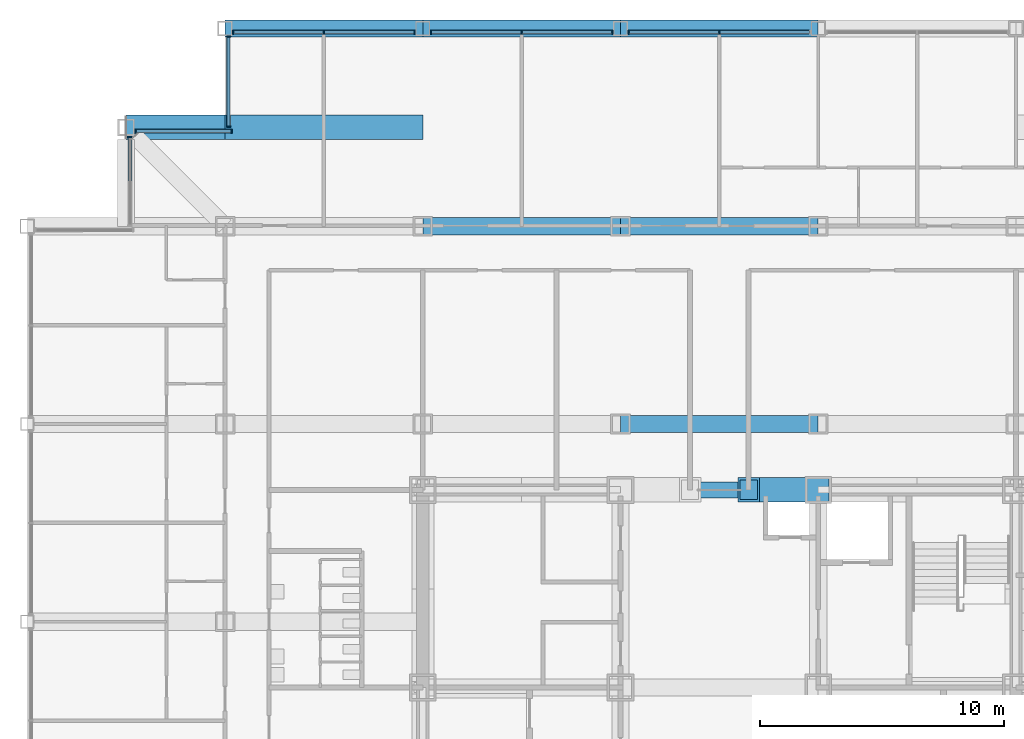
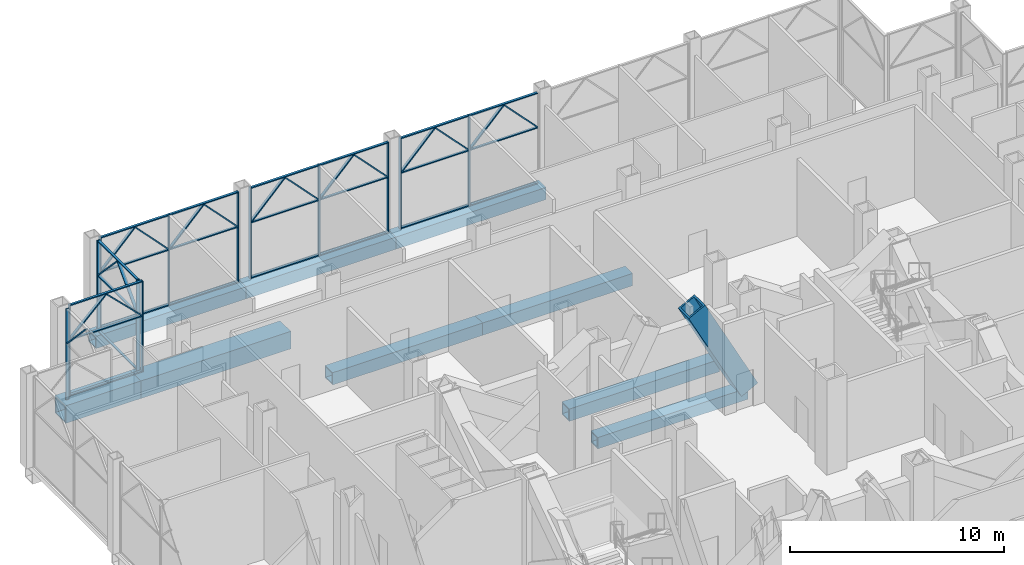
# One storey, part 9 of 29: 55 members, 9 beams, 6 elements without a shape of their own.
"""IFC4 building model written with IfcOpenShell, lengths in metres."""

from ifc_helpers import new_model, si_unit, direction, frame, origin, origin_2d, place, context, subcontext, project, spatial, rectangle, hollow_rectangle, extrude, material, material_profile, profile_set, type_object, element, aggregate, save


model = new_model("IFC4")

# Units and contexts
model_context = context("Model", 3, precision=1e-05, world=origin(), true_north=direction((0.0, 1.0)))
body_context = subcontext(model_context, "Body", "Model", "MODEL_VIEW")
ifc_project = project(units=[si_unit("LENGTHUNIT", "METRE"), si_unit("AREAUNIT", "SQUARE_METRE"), si_unit("VOLUMEUNIT", "CUBIC_METRE"), si_unit("PLANEANGLEUNIT", "RADIAN"), si_unit("MASSUNIT", "GRAM", prefix="KILO")], contexts=[model_context])

# Site, building, storey
site_placement = place(None, origin())
site = spatial("IfcSite", under=ifc_project, at=site_placement, CompositionType="ELEMENT")
building_placement = place(site_placement, origin())
building = spatial("IfcBuilding", under=site, at=building_placement, Name="Kopane Lantern Tower", CompositionType="ELEMENT")
storey_placement = place(building_placement, frame((0.0, 0.0, 165.0)))
storey = spatial("IfcBuildingStorey", under=building, at=storey_placement, Name="L42", CompositionType="ELEMENT", Elevation=165.0)

# Member
ifc_material_1 = material(Name="Steel S355JR", Category="steel")
ifc_material_profile_1 = material_profile(ifc_material_1, hollow_rectangle(XDim=1.0, YDim=1.0, WallThickness=0.10009765625, at=origin_2d()), Name="BOX 1000x1000x100")
ifc_profile_set_1 = profile_set([ifc_material_profile_1], Name="Steel S355JR")
member_type_1 = type_object("IfcMemberType", Name="BRACE BOX 1000x1000x100", PredefinedType="BRACE", material=ifc_profile_set_1)
member_1_placement = place(storey_placement, frame((32.39990234375, 40.5, -0.25), z_axis=(-0.464053044063, 0.0, 0.885807412645), x_axis=(0.0, -1.0, 0.0)))
element("IfcMember", 1, at=member_1_placement, inside=storey, type_object=member_type_1, Name="Core brace L42", PredefinedType="BRACE", context=body_context, shape_type="SweptSolid", body=[
    extrude(hollow_rectangle(XDim=1.0, YDim=1.0, WallThickness=0.10009765625, at=origin_2d()), origin(), (0.0, 0.0, 1.0), 6.14111328125),
])

# Beams
ifc_material_2 = material(Name="Steel S355JR", Category="steel")
ifc_material_profile_2 = material_profile(ifc_material_2, hollow_rectangle(XDim=0.699951171875, YDim=0.699951171875, WallThickness=0.06005859375, at=origin_2d()), Name="BOX 700x700x60")
ifc_profile_set_2 = profile_set([ifc_material_profile_2], Name="Steel S355JR")
beam_type_1 = type_object("IfcBeamType", Name="GIRDER BOX 700x700x60", PredefinedType="BEAM", material=ifc_profile_set_2)
beam_1_placement = place(storey_placement, frame((8.10009765625, 59.39990234375, -0.60009765625), z_axis=(1.0, 0.0, 0.0), x_axis=(0.0, 1.0, 0.0)))
element("IfcBeam", 2, at=beam_1_placement, inside=storey, type_object=beam_type_1, Name="Girder L42", PredefinedType="BEAM", context=body_context, shape_type="SweptSolid", body=[
    extrude(hollow_rectangle(XDim=0.699951171875, YDim=0.699951171875, WallThickness=0.06005859375, at=origin_2d()), origin(), (0.0, 0.0, 1.0), 8.099853515625),
])
for number, where, z_axis, x_axis, name in (
    (3, (16.199951171875, 51.300048828125, -0.60009765625), (1.0, 0.0, 0.0), (0.0, 1.0, 0.0), "Girder L42"),
    (4, (16.199951171875, 59.39990234375, -0.60009765625), (1.0, 0.0, 0.0), (0.0, 1.0, 0.0), "Girder L42"),
):
    element("IfcBeam", number, at=place(storey_placement, frame(where, z_axis=z_axis, x_axis=x_axis)), inside=storey, type_object=beam_type_1, Name=name, PredefinedType="BEAM", context=body_context, shape_type="SweptSolid", body=[
        extrude(hollow_rectangle(XDim=0.699951171875, YDim=0.699951171875, WallThickness=0.06005859375, at=origin_2d()), origin(), (0.0, 0.0, 1.0), 8.10009765625),
    ])
for number, where, z_axis, x_axis, name in (
    (5, (24.300048828125, 43.199951171875, -0.60009765625), (1.0, 0.0, 0.0), (0.0, 1.0, 0.0), "Girder L42"),
    (6, (24.300048828125, 51.300048828125, -0.60009765625), (1.0, 0.0, 0.0), (0.0, 1.0, 0.0), "Girder L42"),
    (7, (24.300048828125, 59.39990234375, -0.60009765625), (1.0, 0.0, 0.0), (0.0, 1.0, 0.0), "Girder L42"),
):
    element("IfcBeam", number, at=place(storey_placement, frame(where, z_axis=z_axis, x_axis=x_axis)), inside=storey, type_object=beam_type_1, Name=name, PredefinedType="BEAM", context=body_context, shape_type="SweptSolid", body=[
        extrude(hollow_rectangle(XDim=0.699951171875, YDim=0.699951171875, WallThickness=0.06005859375, at=origin_2d()), origin(), (0.0, 0.0, 1.0), 8.099853515625),
    ])
ifc_material_3 = material(Name="Steel S355JR", Category="steel")
ifc_material_profile_3 = material_profile(ifc_material_3, hollow_rectangle(XDim=0.64990234375, YDim=0.64990234375, WallThickness=0.070068359375, at=origin_2d()), Name="BOX 650x650x70")
ifc_profile_set_3 = profile_set([ifc_material_profile_3], Name="Steel S355JR")
beam_type_2 = type_object("IfcBeamType", Name="LINK BEAM BOX 650x650x70", PredefinedType="BEAM", material=ifc_profile_set_3)
beam_2_placement = place(storey_placement, frame((24.300048828125, 40.5, -0.574951171875), z_axis=(1.0, 0.0, 0.0), x_axis=(0.0, 1.0, 0.0)))
element("IfcBeam", 8, at=beam_2_placement, inside=storey, type_object=beam_type_2, Name="Link Beam L42", PredefinedType="BEAM", context=body_context, shape_type="SweptSolid", body=[
    extrude(hollow_rectangle(XDim=0.64990234375, YDim=0.64990234375, WallThickness=0.070068359375, at=origin_2d()), origin(), (0.0, 0.0, 1.0), 8.099853515625),
])

# Curtain wall, members
ifc_material_4 = material(Name="Aluminium and clear glass", Category="aluminium")
curtain_wall_type = type_object("IfcCurtainWallType", Name="CURTAIN WALL CW4 RESIDENCES LOBBY", PredefinedType="USERDEFINED", material=ifc_material_4)
curtain_wall_1_placement = place(storey_placement, origin())
curtain_wall_1 = element("IfcCurtainWall", 9, at=curtain_wall_1_placement, inside=storey, type_object=curtain_wall_type, Name="Curtain wall CW4 N L42", ObjectType="CURTAIN WALL", PredefinedType="USERDEFINED")
ifc_material_5 = material(Name="Aluminium", Category="aluminium")
ifc_material_profile_4 = material_profile(ifc_material_5, rectangle(XDim=0.06005859375, YDim=0.1650390625, at=origin_2d()), Name="AL 60x165")
ifc_profile_set_4 = profile_set([ifc_material_profile_4], Name="Aluminium")
member_type_2 = type_object("IfcMemberType", Name="MULLION CW4-M 60x165", PredefinedType="MULLION", material=ifc_profile_set_4)
member_2_placement = place(storey_placement, frame((28.35009765625, 59.25, 0.0), z_axis=(0.0, 0.0, 1.0), x_axis=(-1.0, 0.0, 0.0)))
member_2 = element("IfcMember", 10, at=member_2_placement, type_object=member_type_2, Name="CW4 mullion 2", PredefinedType="MULLION", context=body_context, shape_type="SweptSolid", body=[
    extrude(rectangle(XDim=0.06005859375, YDim=0.1650390625, at=origin_2d()), origin(), (0.0, 0.0, 1.0), 5.18994140625),
])
member_3_placement = place(storey_placement, frame((24.635009765625, 59.25, 0.0), z_axis=(0.0, 0.0, 1.0), x_axis=(-1.0, 0.0, 0.0)))
member_3 = element("IfcMember", 11, at=member_3_placement, type_object=member_type_2, Name="CW4 mullion 3", PredefinedType="MULLION", context=body_context, shape_type="SweptSolid", body=[
    extrude(rectangle(XDim=0.06005859375, YDim=0.1650390625, at=origin_2d()), origin(), (0.0, 0.0, 1.0), 5.18994140625),
])
member_4_placement = place(storey_placement, frame((32.01318359375, 59.25, 3.24072265625), z_axis=(-0.690520697299, 0.0, 0.723312634067), x_axis=(0.723312634067, 0.0, 0.690520697299)))
member_4 = element("IfcMember", 12, at=member_4_placement, type_object=member_type_2, Name="CW4 lancet mullion 1L", PredefinedType="MULLION", context=body_context, shape_type="SweptSolid", body=[
    extrude(rectangle(XDim=0.06005859375, YDim=0.1650390625, at=origin_2d()), origin(), (0.0, 0.0, 1.0), 2.58349609375),
])
member_5_placement = place(storey_placement, frame((28.401611328125, 59.25, 3.24072265625), z_axis=(0.690570133739, 0.0, 0.723265435637), x_axis=(-0.723265435637, 0.0, 0.690570133739)))
member_5 = element("IfcMember", 13, at=member_5_placement, type_object=member_type_2, Name="CW4 lancet mullion 1R", PredefinedType="MULLION", context=body_context, shape_type="SweptSolid", body=[
    extrude(rectangle(XDim=0.06005859375, YDim=0.1650390625, at=origin_2d()), origin(), (0.0, 0.0, 1.0), 2.583740234375),
])
member_6_placement = place(storey_placement, frame((28.29833984375, 59.25, 3.24072265625), z_axis=(-0.690570133739, 0.0, 0.723265435637), x_axis=(0.723265435637, 0.0, 0.690570133739)))
member_6 = element("IfcMember", 14, at=member_6_placement, type_object=member_type_2, Name="CW4 lancet mullion 2L", PredefinedType="MULLION", context=body_context, shape_type="SweptSolid", body=[
    extrude(rectangle(XDim=0.06005859375, YDim=0.1650390625, at=origin_2d()), origin(), (0.0, 0.0, 1.0), 2.583740234375),
])
member_7_placement = place(storey_placement, frame((24.686767578125, 59.25, 3.24072265625), z_axis=(0.690520697299, 0.0, 0.723312634067), x_axis=(-0.723312634067, 0.0, 0.690520697299)))
member_7 = element("IfcMember", 15, at=member_7_placement, type_object=member_type_2, Name="CW4 lancet mullion 2R", PredefinedType="MULLION", context=body_context, shape_type="SweptSolid", body=[
    extrude(rectangle(XDim=0.06005859375, YDim=0.1650390625, at=origin_2d()), origin(), (0.0, 0.0, 1.0), 2.58349609375),
])

curtain_wall_2_placement = place(storey_placement, origin())
curtain_wall_2 = element("IfcCurtainWall", 16, at=curtain_wall_2_placement, inside=storey, type_object=curtain_wall_type, Name="Curtain wall CW4 N L42", ObjectType="CURTAIN WALL", PredefinedType="USERDEFINED")
member_8_placement = place(storey_placement, frame((23.965087890625, 59.25, 0.0), z_axis=(0.0, 0.0, 1.0), x_axis=(-1.0, 0.0, 0.0)))
member_8 = element("IfcMember", 17, at=member_8_placement, type_object=member_type_2, Name="CW4 mullion 1", PredefinedType="MULLION", context=body_context, shape_type="SweptSolid", body=[
    extrude(rectangle(XDim=0.06005859375, YDim=0.1650390625, at=origin_2d()), origin(), (0.0, 0.0, 1.0), 5.18994140625),
])
member_9_placement = place(storey_placement, frame((20.25, 59.25, 0.0), z_axis=(0.0, 0.0, 1.0), x_axis=(-1.0, 0.0, 0.0)))
member_9 = element("IfcMember", 18, at=member_9_placement, type_object=member_type_2, Name="CW4 mullion 2", PredefinedType="MULLION", context=body_context, shape_type="SweptSolid", body=[
    extrude(rectangle(XDim=0.06005859375, YDim=0.1650390625, at=origin_2d()), origin(), (0.0, 0.0, 1.0), 5.18994140625),
])
member_10_placement = place(storey_placement, frame((16.534912109375, 59.25, 0.0), z_axis=(0.0, 0.0, 1.0), x_axis=(-1.0, 0.0, 0.0)))
member_10 = element("IfcMember", 19, at=member_10_placement, type_object=member_type_2, Name="CW4 mullion 3", PredefinedType="MULLION", context=body_context, shape_type="SweptSolid", body=[
    extrude(rectangle(XDim=0.06005859375, YDim=0.1650390625, at=origin_2d()), origin(), (0.0, 0.0, 1.0), 5.18994140625),
])
member_11_placement = place(storey_placement, frame((23.913330078125, 59.25, 3.24072265625), z_axis=(-0.690570133739, 0.0, 0.723265435637), x_axis=(0.723265435637, 0.0, 0.690570133739)))
member_11 = element("IfcMember", 20, at=member_11_placement, type_object=member_type_2, Name="CW4 lancet mullion 1L", PredefinedType="MULLION", context=body_context, shape_type="SweptSolid", body=[
    extrude(rectangle(XDim=0.06005859375, YDim=0.1650390625, at=origin_2d()), origin(), (0.0, 0.0, 1.0), 2.583740234375),
])
member_12_placement = place(storey_placement, frame((20.3017578125, 59.25, 3.24072265625), z_axis=(0.690520697299, 0.0, 0.723312634067), x_axis=(-0.723312634067, 0.0, 0.690520697299)))
member_12 = element("IfcMember", 21, at=member_12_placement, type_object=member_type_2, Name="CW4 lancet mullion 1R", PredefinedType="MULLION", context=body_context, shape_type="SweptSolid", body=[
    extrude(rectangle(XDim=0.06005859375, YDim=0.1650390625, at=origin_2d()), origin(), (0.0, 0.0, 1.0), 2.58349609375),
])
member_13_placement = place(storey_placement, frame((20.1982421875, 59.25, 3.24072265625), z_axis=(-0.690520697299, 0.0, 0.723312634067), x_axis=(0.723312634067, 0.0, 0.690520697299)))
member_13 = element("IfcMember", 22, at=member_13_placement, type_object=member_type_2, Name="CW4 lancet mullion 2L", PredefinedType="MULLION", context=body_context, shape_type="SweptSolid", body=[
    extrude(rectangle(XDim=0.06005859375, YDim=0.1650390625, at=origin_2d()), origin(), (0.0, 0.0, 1.0), 2.58349609375),
])
member_14_placement = place(storey_placement, frame((16.586669921875, 59.25, 3.24072265625), z_axis=(0.690570133739, 0.0, 0.723265435637), x_axis=(-0.723265435637, 0.0, 0.690570133739)))
member_14 = element("IfcMember", 23, at=member_14_placement, type_object=member_type_2, Name="CW4 lancet mullion 2R", PredefinedType="MULLION", context=body_context, shape_type="SweptSolid", body=[
    extrude(rectangle(XDim=0.06005859375, YDim=0.1650390625, at=origin_2d()), origin(), (0.0, 0.0, 1.0), 2.583740234375),
])

curtain_wall_3_placement = place(storey_placement, origin())
curtain_wall_3 = element("IfcCurtainWall", 24, at=curtain_wall_3_placement, inside=storey, type_object=curtain_wall_type, Name="Curtain wall CW4 N L42", ObjectType="CURTAIN WALL", PredefinedType="USERDEFINED")
member_15_placement = place(storey_placement, frame((15.864990234375, 59.25, 0.0), z_axis=(0.0, 0.0, 1.0), x_axis=(-1.0, 0.0, 0.0)))
member_15 = element("IfcMember", 25, at=member_15_placement, type_object=member_type_2, Name="CW4 mullion 1", PredefinedType="MULLION", context=body_context, shape_type="SweptSolid", body=[
    extrude(rectangle(XDim=0.06005859375, YDim=0.1650390625, at=origin_2d()), origin(), (0.0, 0.0, 1.0), 5.18994140625),
])
member_16_placement = place(storey_placement, frame((12.14990234375, 59.25, 0.0), z_axis=(0.0, 0.0, 1.0), x_axis=(-1.0, 0.0, 0.0)))
member_16 = element("IfcMember", 26, at=member_16_placement, type_object=member_type_2, Name="CW4 mullion 2", PredefinedType="MULLION", context=body_context, shape_type="SweptSolid", body=[
    extrude(rectangle(XDim=0.06005859375, YDim=0.1650390625, at=origin_2d()), origin(), (0.0, 0.0, 1.0), 5.18994140625),
])
member_17_placement = place(storey_placement, frame((8.43505859375, 59.25, 0.0), z_axis=(0.0, 0.0, 1.0), x_axis=(-1.0, 0.0, 0.0)))
member_17 = element("IfcMember", 27, at=member_17_placement, type_object=member_type_2, Name="CW4 mullion 3", PredefinedType="MULLION", context=body_context, shape_type="SweptSolid", body=[
    extrude(rectangle(XDim=0.06005859375, YDim=0.1650390625, at=origin_2d()), origin(), (0.0, 0.0, 1.0), 5.18994140625),
])
member_18_placement = place(storey_placement, frame((15.813232421875, 59.25, 3.24072265625), z_axis=(-0.690520697299, 0.0, 0.723312634067), x_axis=(0.723312634067, 0.0, 0.690520697299)))
member_18 = element("IfcMember", 28, at=member_18_placement, type_object=member_type_2, Name="CW4 lancet mullion 1L", PredefinedType="MULLION", context=body_context, shape_type="SweptSolid", body=[
    extrude(rectangle(XDim=0.06005859375, YDim=0.1650390625, at=origin_2d()), origin(), (0.0, 0.0, 1.0), 2.58349609375),
])
member_19_placement = place(storey_placement, frame((12.20166015625, 59.25, 3.24072265625), z_axis=(0.690570133739, 0.0, 0.723265435637), x_axis=(-0.723265435637, 0.0, 0.690570133739)))
member_19 = element("IfcMember", 29, at=member_19_placement, type_object=member_type_2, Name="CW4 lancet mullion 1R", PredefinedType="MULLION", context=body_context, shape_type="SweptSolid", body=[
    extrude(rectangle(XDim=0.06005859375, YDim=0.1650390625, at=origin_2d()), origin(), (0.0, 0.0, 1.0), 2.583740234375),
])
member_20_placement = place(storey_placement, frame((12.098388671875, 59.25, 3.24072265625), z_axis=(-0.690570133739, 0.0, 0.723265435637), x_axis=(0.723265435637, 0.0, 0.690570133739)))
member_20 = element("IfcMember", 30, at=member_20_placement, type_object=member_type_2, Name="CW4 lancet mullion 2L", PredefinedType="MULLION", context=body_context, shape_type="SweptSolid", body=[
    extrude(rectangle(XDim=0.06005859375, YDim=0.1650390625, at=origin_2d()), origin(), (0.0, 0.0, 1.0), 2.583740234375),
])
member_21_placement = place(storey_placement, frame((8.48681640625, 59.25, 3.24072265625), z_axis=(0.690520697299, 0.0, 0.723312634067), x_axis=(-0.723312634067, 0.0, 0.690520697299)))
member_21 = element("IfcMember", 31, at=member_21_placement, type_object=member_type_2, Name="CW4 lancet mullion 2R", PredefinedType="MULLION", context=body_context, shape_type="SweptSolid", body=[
    extrude(rectangle(XDim=0.06005859375, YDim=0.1650390625, at=origin_2d()), origin(), (0.0, 0.0, 1.0), 2.58349609375),
])

curtain_wall_4_placement = place(storey_placement, origin())
curtain_wall_4 = element("IfcCurtainWall", 32, at=curtain_wall_4_placement, inside=storey, type_object=curtain_wall_type, Name="Curtain wall CW4 W L42", ObjectType="CURTAIN WALL", PredefinedType="USERDEFINED")
member_22_placement = place(storey_placement, frame((8.25, 59.070068359375, 0.0), z_axis=(0.0, 0.0, 1.0), x_axis=(0.0, -1.0, 0.0)))
member_22 = element("IfcMember", 33, at=member_22_placement, type_object=member_type_2, Name="CW4 mullion 1", PredefinedType="MULLION", context=body_context, shape_type="SweptSolid", body=[
    extrude(rectangle(XDim=0.06005859375, YDim=0.1650390625, at=origin_2d()), origin(), (0.0, 0.0, 1.0), 5.18994140625),
])
member_23_placement = place(storey_placement, frame((8.25, 55.3798828125, 0.0), z_axis=(0.0, 0.0, 1.0), x_axis=(0.0, -1.0, 0.0)))
member_23 = element("IfcMember", 34, at=member_23_placement, type_object=member_type_2, Name="CW4 mullion 2", PredefinedType="MULLION", context=body_context, shape_type="SweptSolid", body=[
    extrude(rectangle(XDim=0.06005859375, YDim=0.1650390625, at=origin_2d()), origin(), (0.0, 0.0, 1.0), 5.18994140625),
])
member_24_placement = place(storey_placement, frame((8.25, 59.018310546875, 3.240478515625), z_axis=(0.0, -0.687939225312, 0.725768297928), x_axis=(0.0, 0.725768297928, 0.687939225312)))
member_24 = element("IfcMember", 35, at=member_24_placement, type_object=member_type_2, Name="CW4 lancet mullion 1L", PredefinedType="MULLION", context=body_context, shape_type="SweptSolid", body=[
    extrude(rectangle(XDim=0.06005859375, YDim=0.1650390625, at=origin_2d()), origin(), (0.0, 0.0, 1.0), 2.574951171875),
])
member_25_placement = place(storey_placement, frame((8.25, 55.431884765625, 3.240478515625), z_axis=(0.0, 0.687889280397, 0.725815636312), x_axis=(0.0, -0.725815636312, 0.687889280397)))
member_25 = element("IfcMember", 36, at=member_25_placement, type_object=member_type_2, Name="CW4 lancet mullion 1R", PredefinedType="MULLION", context=body_context, shape_type="SweptSolid", body=[
    extrude(rectangle(XDim=0.06005859375, YDim=0.1650390625, at=origin_2d()), origin(), (0.0, 0.0, 1.0), 2.574951171875),
])

curtain_wall_5_placement = place(storey_placement, origin())
curtain_wall_5 = element("IfcCurtainWall", 37, at=curtain_wall_5_placement, inside=storey, type_object=curtain_wall_type, Name="Curtain wall CW4 N L42", ObjectType="CURTAIN WALL", PredefinedType="USERDEFINED")
member_26_placement = place(storey_placement, frame((8.3701171875, 55.199951171875, 0.0), z_axis=(0.0, 0.0, 1.0), x_axis=(-1.0, 0.0, 0.0)))
member_26 = element("IfcMember", 38, at=member_26_placement, type_object=member_type_2, Name="CW4 mullion 1", PredefinedType="MULLION", context=body_context, shape_type="SweptSolid", body=[
    extrude(rectangle(XDim=0.06005859375, YDim=0.1650390625, at=origin_2d()), origin(), (0.0, 0.0, 1.0), 5.18994140625),
])
member_27_placement = place(storey_placement, frame((4.43505859375, 55.199951171875, 0.0), z_axis=(0.0, 0.0, 1.0), x_axis=(-1.0, 0.0, 0.0)))
member_27 = element("IfcMember", 39, at=member_27_placement, type_object=member_type_2, Name="CW4 mullion 2", PredefinedType="MULLION", context=body_context, shape_type="SweptSolid", body=[
    extrude(rectangle(XDim=0.06005859375, YDim=0.1650390625, at=origin_2d()), origin(), (0.0, 0.0, 1.0), 5.18994140625),
])
member_28_placement = place(storey_placement, frame((8.31884765625, 55.199951171875, 3.241455078125), z_axis=(-0.712363521538, 0.0, 0.701810667618), x_axis=(0.701810667618, 0.0, 0.712363521538)))
member_28 = element("IfcMember", 40, at=member_28_placement, type_object=member_type_2, Name="CW4 lancet mullion 1L", PredefinedType="MULLION", context=body_context, shape_type="SweptSolid", body=[
    extrude(rectangle(XDim=0.06005859375, YDim=0.1650390625, at=origin_2d()), origin(), (0.0, 0.0, 1.0), 2.66064453125),
])
member_29_placement = place(storey_placement, frame((4.486083984375, 55.199951171875, 3.241455078125), z_axis=(0.712363521538, 0.0, 0.701810667618), x_axis=(-0.701810667618, 0.0, 0.712363521538)))
member_29 = element("IfcMember", 41, at=member_29_placement, type_object=member_type_2, Name="CW4 lancet mullion 1R", PredefinedType="MULLION", context=body_context, shape_type="SweptSolid", body=[
    extrude(rectangle(XDim=0.06005859375, YDim=0.1650390625, at=origin_2d()), origin(), (0.0, 0.0, 1.0), 2.66064453125),
])

curtain_wall_6_placement = place(storey_placement, origin())
curtain_wall_6 = element("IfcCurtainWall", 42, at=curtain_wall_6_placement, inside=storey, type_object=curtain_wall_type, Name="Curtain wall CW4 W L42", ObjectType="CURTAIN WALL", PredefinedType="USERDEFINED")
member_30_placement = place(storey_placement, frame((4.199951171875, 54.965087890625, 0.0), z_axis=(0.0, 0.0, 1.0), x_axis=(0.0, -1.0, 0.0)))
member_30 = element("IfcMember", 43, at=member_30_placement, type_object=member_type_2, Name="CW4 mullion 1", PredefinedType="MULLION", context=body_context, shape_type="SweptSolid", body=[
    extrude(rectangle(XDim=0.06005859375, YDim=0.1650390625, at=origin_2d()), origin(), (0.0, 0.0, 1.0), 5.18994140625),
])
member_31_placement = place(storey_placement, frame((4.199951171875, 54.9130859375, 3.240478515625), z_axis=(0.0, -0.68213446792, 0.731226755306), x_axis=(0.0, 0.731226755306, 0.68213446792)))
member_31 = element("IfcMember", 44, at=member_31_placement, type_object=member_type_2, Name="CW4 lancet mullion 1L", PredefinedType="MULLION", context=body_context, shape_type="SweptSolid", body=[
    extrude(rectangle(XDim=0.06005859375, YDim=0.1650390625, at=origin_2d()), origin(), (0.0, 0.0, 1.0), 2.55615234375),
])
aggregate(curtain_wall_6, [member_30, member_31])

# Beams
ifc_material_6 = material(Name="Steel S355JR", Category="steel")
ifc_material_profile_5 = material_profile(ifc_material_6, hollow_rectangle(XDim=1.0, YDim=1.0, WallThickness=0.06005859375, at=origin_2d()), Name="BOX 1000x1000x60")
ifc_profile_set_5 = profile_set([ifc_material_profile_5], Name="Steel S355JR")
beam_type_3 = type_object("IfcBeamType", Name="TRANSFER BEAM BOX 1000x1000x60", PredefinedType="BEAM", material=ifc_profile_set_5)
beam_3_placement = place(storey_placement, frame((4.050048828125, 55.35009765625, -0.75), z_axis=(1.0, 0.0, 0.0), x_axis=(0.0, 1.0, 0.0)))
element("IfcBeam", 45, at=beam_3_placement, inside=storey, type_object=beam_type_3, Name="Transfer Beam L42", PredefinedType="BEAM", context=body_context, shape_type="SweptSolid", body=[
    extrude(hollow_rectangle(XDim=1.0, YDim=1.0, WallThickness=0.06005859375, at=origin_2d()), origin(), (0.0, 0.0, 1.0), 4.050048828125),
])
beam_4_placement = place(storey_placement, frame((8.10009765625, 55.35009765625, -0.75), z_axis=(1.0, 0.0, 0.0), x_axis=(0.0, 1.0, 0.0)))
element("IfcBeam", 46, at=beam_4_placement, inside=storey, type_object=beam_type_3, Name="Transfer Beam L42", PredefinedType="BEAM", context=body_context, shape_type="SweptSolid", body=[
    extrude(hollow_rectangle(XDim=1.0, YDim=1.0, WallThickness=0.06005859375, at=origin_2d()), origin(), (0.0, 0.0, 1.0), 8.099853515625),
])

# Member
ifc_material_7 = material(Name="Aluminium", Category="aluminium")
ifc_material_profile_6 = material_profile(ifc_material_7, rectangle(XDim=0.125, YDim=0.06005859375, at=origin_2d()), Name="AL 125x60")
ifc_profile_set_6 = profile_set([ifc_material_profile_6], Name="Aluminium")
member_type_3 = type_object("IfcMemberType", Name="TRANSOM CW4-T 60x125", PredefinedType="USERDEFINED", material=ifc_profile_set_6)
member_32_placement = place(storey_placement, frame((32.034912109375, 59.25, 0.030029296875), z_axis=(-1.0, 0.0, 0.0), x_axis=(0.0, -1.0, 0.0)))
member_32 = element("IfcMember", 47, at=member_32_placement, type_object=member_type_3, Name="CW4 transom 1.1", ObjectType="TRANSOM", PredefinedType="USERDEFINED", context=body_context, shape_type="SweptSolid", body=[
    extrude(rectangle(XDim=0.125, YDim=0.06005859375, at=origin_2d()), origin(), (0.0, 0.0, 1.0), 3.655029296875),
])

member_33_placement = place(storey_placement, frame((32.034912109375, 59.25, 3.18994140625), z_axis=(-1.0, 0.0, 0.0), x_axis=(0.0, -1.0, 0.0)))
member_33 = element("IfcMember", 48, at=member_33_placement, type_object=member_type_3, Name="CW4 transom 1.2", ObjectType="TRANSOM", PredefinedType="USERDEFINED", context=body_context, shape_type="SweptSolid", body=[
    extrude(rectangle(XDim=0.125, YDim=0.06005859375, at=origin_2d()), origin(), (0.0, 0.0, 1.0), 3.655029296875),
])

member_34_placement = place(storey_placement, frame((32.034912109375, 59.25, 5.159912109375), z_axis=(-1.0, 0.0, 0.0), x_axis=(0.0, -1.0, 0.0)))
member_34 = element("IfcMember", 49, at=member_34_placement, type_object=member_type_3, Name="CW4 transom 1.3", ObjectType="TRANSOM", PredefinedType="USERDEFINED", context=body_context, shape_type="SweptSolid", body=[
    extrude(rectangle(XDim=0.125, YDim=0.06005859375, at=origin_2d()), origin(), (0.0, 0.0, 1.0), 3.655029296875),
])

member_35_placement = place(storey_placement, frame((28.320068359375, 59.25, 0.030029296875), z_axis=(-1.0, 0.0, 0.0), x_axis=(0.0, -1.0, 0.0)))
member_35 = element("IfcMember", 50, at=member_35_placement, type_object=member_type_3, Name="CW4 transom 2.1", ObjectType="TRANSOM", PredefinedType="USERDEFINED", context=body_context, shape_type="SweptSolid", body=[
    extrude(rectangle(XDim=0.125, YDim=0.06005859375, at=origin_2d()), origin(), (0.0, 0.0, 1.0), 3.655029296875),
])

member_36_placement = place(storey_placement, frame((28.320068359375, 59.25, 3.18994140625), z_axis=(-1.0, 0.0, 0.0), x_axis=(0.0, -1.0, 0.0)))
member_36 = element("IfcMember", 51, at=member_36_placement, type_object=member_type_3, Name="CW4 transom 2.2", ObjectType="TRANSOM", PredefinedType="USERDEFINED", context=body_context, shape_type="SweptSolid", body=[
    extrude(rectangle(XDim=0.125, YDim=0.06005859375, at=origin_2d()), origin(), (0.0, 0.0, 1.0), 3.655029296875),
])

member_37_placement = place(storey_placement, frame((28.320068359375, 59.25, 5.159912109375), z_axis=(-1.0, 0.0, 0.0), x_axis=(0.0, -1.0, 0.0)))
member_37 = element("IfcMember", 52, at=member_37_placement, type_object=member_type_3, Name="CW4 transom 2.3", ObjectType="TRANSOM", PredefinedType="USERDEFINED", context=body_context, shape_type="SweptSolid", body=[
    extrude(rectangle(XDim=0.125, YDim=0.06005859375, at=origin_2d()), origin(), (0.0, 0.0, 1.0), 3.655029296875),
])

aggregate(curtain_wall_1, [member_2, member_3, member_32, member_33, member_34, member_35, member_36, member_37, member_4, member_5, member_6, member_7])

member_38_placement = place(storey_placement, frame((23.93505859375, 59.25, 0.030029296875), z_axis=(-1.0, 0.0, 0.0), x_axis=(0.0, -1.0, 0.0)))
member_38 = element("IfcMember", 53, at=member_38_placement, type_object=member_type_3, Name="CW4 transom 1.1", ObjectType="TRANSOM", PredefinedType="USERDEFINED", context=body_context, shape_type="SweptSolid", body=[
    extrude(rectangle(XDim=0.125, YDim=0.06005859375, at=origin_2d()), origin(), (0.0, 0.0, 1.0), 3.655029296875),
])

member_39_placement = place(storey_placement, frame((23.93505859375, 59.25, 3.18994140625), z_axis=(-1.0, 0.0, 0.0), x_axis=(0.0, -1.0, 0.0)))
member_39 = element("IfcMember", 54, at=member_39_placement, type_object=member_type_3, Name="CW4 transom 1.2", ObjectType="TRANSOM", PredefinedType="USERDEFINED", context=body_context, shape_type="SweptSolid", body=[
    extrude(rectangle(XDim=0.125, YDim=0.06005859375, at=origin_2d()), origin(), (0.0, 0.0, 1.0), 3.655029296875),
])

member_40_placement = place(storey_placement, frame((23.93505859375, 59.25, 5.159912109375), z_axis=(-1.0, 0.0, 0.0), x_axis=(0.0, -1.0, 0.0)))
member_40 = element("IfcMember", 55, at=member_40_placement, type_object=member_type_3, Name="CW4 transom 1.3", ObjectType="TRANSOM", PredefinedType="USERDEFINED", context=body_context, shape_type="SweptSolid", body=[
    extrude(rectangle(XDim=0.125, YDim=0.06005859375, at=origin_2d()), origin(), (0.0, 0.0, 1.0), 3.655029296875),
])

member_41_placement = place(storey_placement, frame((20.219970703125, 59.25, 0.030029296875), z_axis=(-1.0, 0.0, 0.0), x_axis=(0.0, -1.0, 0.0)))
member_41 = element("IfcMember", 56, at=member_41_placement, type_object=member_type_3, Name="CW4 transom 2.1", ObjectType="TRANSOM", PredefinedType="USERDEFINED", context=body_context, shape_type="SweptSolid", body=[
    extrude(rectangle(XDim=0.125, YDim=0.06005859375, at=origin_2d()), origin(), (0.0, 0.0, 1.0), 3.655029296875),
])

member_42_placement = place(storey_placement, frame((20.219970703125, 59.25, 3.18994140625), z_axis=(-1.0, 0.0, 0.0), x_axis=(0.0, -1.0, 0.0)))
member_42 = element("IfcMember", 57, at=member_42_placement, type_object=member_type_3, Name="CW4 transom 2.2", ObjectType="TRANSOM", PredefinedType="USERDEFINED", context=body_context, shape_type="SweptSolid", body=[
    extrude(rectangle(XDim=0.125, YDim=0.06005859375, at=origin_2d()), origin(), (0.0, 0.0, 1.0), 3.655029296875),
])

member_43_placement = place(storey_placement, frame((20.219970703125, 59.25, 5.159912109375), z_axis=(-1.0, 0.0, 0.0), x_axis=(0.0, -1.0, 0.0)))
member_43 = element("IfcMember", 58, at=member_43_placement, type_object=member_type_3, Name="CW4 transom 2.3", ObjectType="TRANSOM", PredefinedType="USERDEFINED", context=body_context, shape_type="SweptSolid", body=[
    extrude(rectangle(XDim=0.125, YDim=0.06005859375, at=origin_2d()), origin(), (0.0, 0.0, 1.0), 3.655029296875),
])

aggregate(curtain_wall_2, [member_8, member_9, member_10, member_38, member_39, member_40, member_41, member_42, member_43, member_11, member_12, member_13, member_14])

member_44_placement = place(storey_placement, frame((15.8349609375, 59.25, 0.030029296875), z_axis=(-1.0, 0.0, 0.0), x_axis=(0.0, -1.0, 0.0)))
member_44 = element("IfcMember", 59, at=member_44_placement, type_object=member_type_3, Name="CW4 transom 1.1", ObjectType="TRANSOM", PredefinedType="USERDEFINED", context=body_context, shape_type="SweptSolid", body=[
    extrude(rectangle(XDim=0.125, YDim=0.06005859375, at=origin_2d()), origin(), (0.0, 0.0, 1.0), 3.655029296875),
])

member_45_placement = place(storey_placement, frame((15.8349609375, 59.25, 3.18994140625), z_axis=(-1.0, 0.0, 0.0), x_axis=(0.0, -1.0, 0.0)))
member_45 = element("IfcMember", 60, at=member_45_placement, type_object=member_type_3, Name="CW4 transom 1.2", ObjectType="TRANSOM", PredefinedType="USERDEFINED", context=body_context, shape_type="SweptSolid", body=[
    extrude(rectangle(XDim=0.125, YDim=0.06005859375, at=origin_2d()), origin(), (0.0, 0.0, 1.0), 3.655029296875),
])

member_46_placement = place(storey_placement, frame((15.8349609375, 59.25, 5.159912109375), z_axis=(-1.0, 0.0, 0.0), x_axis=(0.0, -1.0, 0.0)))
member_46 = element("IfcMember", 61, at=member_46_placement, type_object=member_type_3, Name="CW4 transom 1.3", ObjectType="TRANSOM", PredefinedType="USERDEFINED", context=body_context, shape_type="SweptSolid", body=[
    extrude(rectangle(XDim=0.125, YDim=0.06005859375, at=origin_2d()), origin(), (0.0, 0.0, 1.0), 3.655029296875),
])

member_47_placement = place(storey_placement, frame((12.1201171875, 59.25, 0.030029296875), z_axis=(-1.0, 0.0, 0.0), x_axis=(0.0, -1.0, 0.0)))
member_47 = element("IfcMember", 62, at=member_47_placement, type_object=member_type_3, Name="CW4 transom 2.1", ObjectType="TRANSOM", PredefinedType="USERDEFINED", context=body_context, shape_type="SweptSolid", body=[
    extrude(rectangle(XDim=0.125, YDim=0.06005859375, at=origin_2d()), origin(), (0.0, 0.0, 1.0), 3.655029296875),
])

member_48_placement = place(storey_placement, frame((12.1201171875, 59.25, 3.18994140625), z_axis=(-1.0, 0.0, 0.0), x_axis=(0.0, -1.0, 0.0)))
member_48 = element("IfcMember", 63, at=member_48_placement, type_object=member_type_3, Name="CW4 transom 2.2", ObjectType="TRANSOM", PredefinedType="USERDEFINED", context=body_context, shape_type="SweptSolid", body=[
    extrude(rectangle(XDim=0.125, YDim=0.06005859375, at=origin_2d()), origin(), (0.0, 0.0, 1.0), 3.655029296875),
])

member_49_placement = place(storey_placement, frame((12.1201171875, 59.25, 5.159912109375), z_axis=(-1.0, 0.0, 0.0), x_axis=(0.0, -1.0, 0.0)))
member_49 = element("IfcMember", 64, at=member_49_placement, type_object=member_type_3, Name="CW4 transom 2.3", ObjectType="TRANSOM", PredefinedType="USERDEFINED", context=body_context, shape_type="SweptSolid", body=[
    extrude(rectangle(XDim=0.125, YDim=0.06005859375, at=origin_2d()), origin(), (0.0, 0.0, 1.0), 3.655029296875),
])

aggregate(curtain_wall_3, [member_15, member_16, member_17, member_44, member_45, member_46, member_47, member_48, member_49, member_18, member_19, member_20, member_21])

member_50_placement = place(storey_placement, frame((8.25, 59.0400390625, 0.030029296875), z_axis=(0.0, -1.0, 0.0), x_axis=(1.0, 0.0, 0.0)))
member_50 = element("IfcMember", 65, at=member_50_placement, type_object=member_type_3, Name="CW4 transom 1.1", ObjectType="TRANSOM", PredefinedType="USERDEFINED", context=body_context, shape_type="SweptSolid", body=[
    extrude(rectangle(XDim=0.125, YDim=0.06005859375, at=origin_2d()), origin(), (0.0, 0.0, 1.0), 3.630126953125),
])

member_51_placement = place(storey_placement, frame((8.25, 59.0400390625, 3.18994140625), z_axis=(0.0, -1.0, 0.0), x_axis=(1.0, 0.0, 0.0)))
member_51 = element("IfcMember", 66, at=member_51_placement, type_object=member_type_3, Name="CW4 transom 1.2", ObjectType="TRANSOM", PredefinedType="USERDEFINED", context=body_context, shape_type="SweptSolid", body=[
    extrude(rectangle(XDim=0.125, YDim=0.06005859375, at=origin_2d()), origin(), (0.0, 0.0, 1.0), 3.630126953125),
])

member_52_placement = place(storey_placement, frame((8.25, 59.0400390625, 5.159912109375), z_axis=(0.0, -1.0, 0.0), x_axis=(1.0, 0.0, 0.0)))
member_52 = element("IfcMember", 67, at=member_52_placement, type_object=member_type_3, Name="CW4 transom 1.3", ObjectType="TRANSOM", PredefinedType="USERDEFINED", context=body_context, shape_type="SweptSolid", body=[
    extrude(rectangle(XDim=0.125, YDim=0.06005859375, at=origin_2d()), origin(), (0.0, 0.0, 1.0), 3.630126953125),
])

aggregate(curtain_wall_4, [member_22, member_23, member_50, member_51, member_52, member_24, member_25])

member_53_placement = place(storey_placement, frame((8.340087890625, 55.199951171875, 0.030029296875), z_axis=(-1.0, 0.0, 0.0), x_axis=(0.0, -1.0, 0.0)))
member_53 = element("IfcMember", 68, at=member_53_placement, type_object=member_type_3, Name="CW4 transom 1.1", ObjectType="TRANSOM", PredefinedType="USERDEFINED", context=body_context, shape_type="SweptSolid", body=[
    extrude(rectangle(XDim=0.125, YDim=0.06005859375, at=origin_2d()), origin(), (0.0, 0.0, 1.0), 3.875),
])

member_54_placement = place(storey_placement, frame((8.340087890625, 55.199951171875, 3.18994140625), z_axis=(-1.0, 0.0, 0.0), x_axis=(0.0, -1.0, 0.0)))
member_54 = element("IfcMember", 69, at=member_54_placement, type_object=member_type_3, Name="CW4 transom 1.2", ObjectType="TRANSOM", PredefinedType="USERDEFINED", context=body_context, shape_type="SweptSolid", body=[
    extrude(rectangle(XDim=0.125, YDim=0.06005859375, at=origin_2d()), origin(), (0.0, 0.0, 1.0), 3.875),
])

member_55_placement = place(storey_placement, frame((8.340087890625, 55.199951171875, 5.159912109375), z_axis=(-1.0, 0.0, 0.0), x_axis=(0.0, -1.0, 0.0)))
member_55 = element("IfcMember", 70, at=member_55_placement, type_object=member_type_3, Name="CW4 transom 1.3", ObjectType="TRANSOM", PredefinedType="USERDEFINED", context=body_context, shape_type="SweptSolid", body=[
    extrude(rectangle(XDim=0.125, YDim=0.06005859375, at=origin_2d()), origin(), (0.0, 0.0, 1.0), 3.875),
])

aggregate(curtain_wall_5, [member_26, member_27, member_53, member_54, member_55, member_28, member_29])

save(model, "model.ifc")
